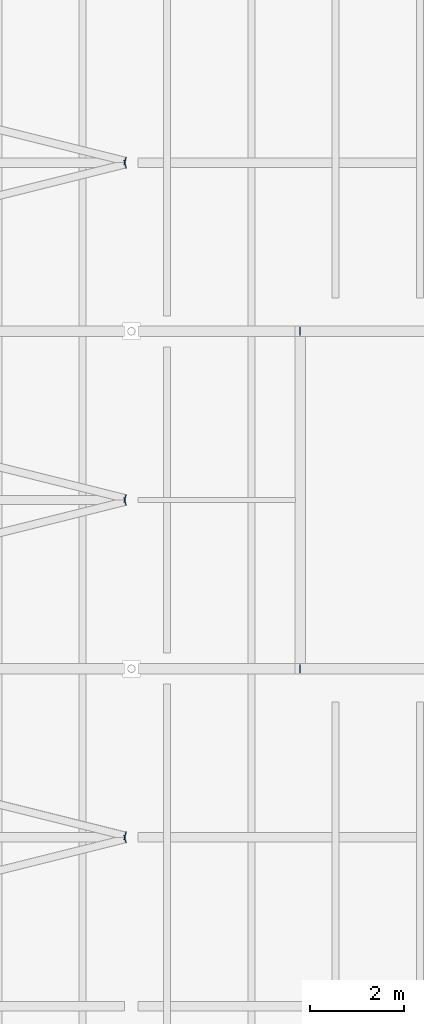
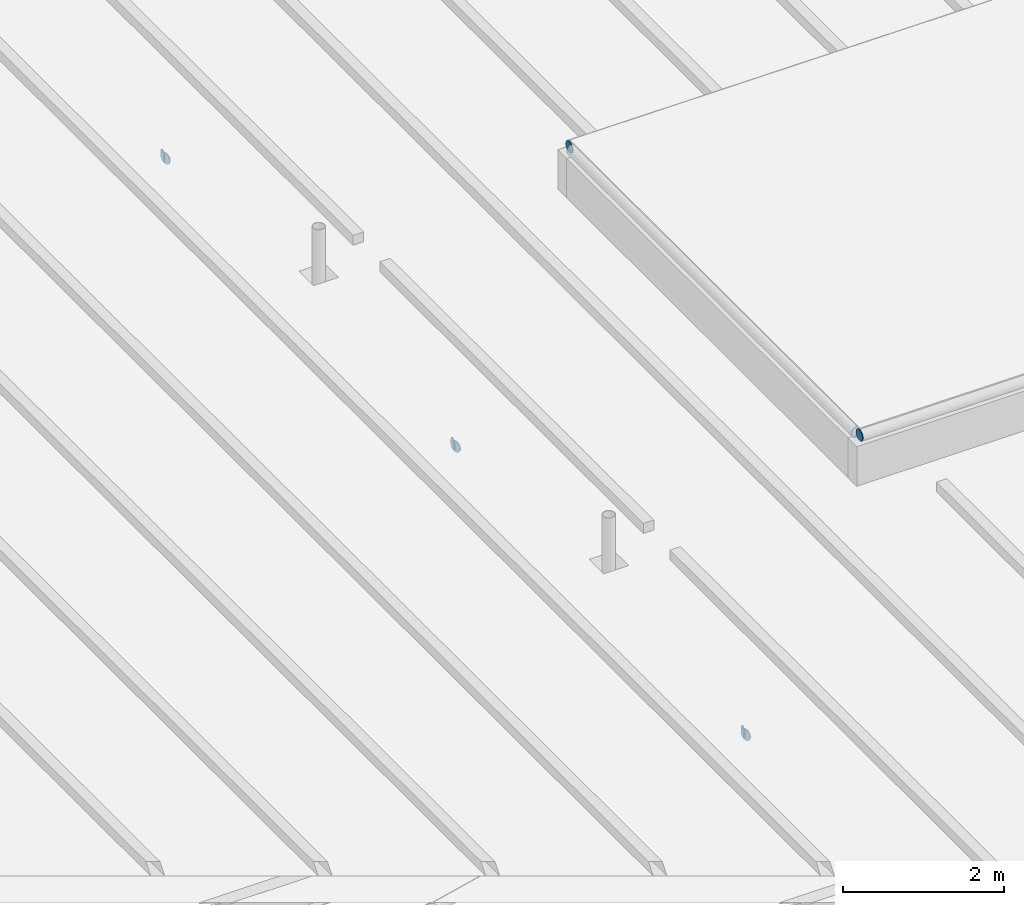
# One storey, part 78 of 120: 8 discrete accessories.
"""IFC4 building model written with IfcOpenShell, lengths in metres."""

from ifc_helpers import new_model, si_unit, direction, frame, origin, origin_2d, place, context, subcontext, project, spatial, circle, extrude, material, layer, layer_set, type_object, element, save


model = new_model("IFC4")

# Units and contexts
model_context = context("Model", 3, precision=1e-05, world=origin(), true_north=direction((0.0, 1.0)))
body_context = subcontext(model_context, "Body", "Model", "MODEL_VIEW")
ifc_project = project(units=[si_unit("LENGTHUNIT", "METRE"), si_unit("AREAUNIT", "SQUARE_METRE"), si_unit("VOLUMEUNIT", "CUBIC_METRE"), si_unit("PLANEANGLEUNIT", "RADIAN"), si_unit("MASSUNIT", "GRAM", prefix="KILO")], contexts=[model_context])

# Site, building, storey
site_placement = place(None, origin())
site = spatial("IfcSite", under=ifc_project, at=site_placement, CompositionType="ELEMENT")
building_placement = place(site_placement, origin())
building = spatial("IfcBuilding", under=site, at=building_placement, Name="Kupolbacken Congress Centre", CompositionType="ELEMENT")
storey_placement = place(building_placement, frame((0.0, 0.0, 21.60009765625)))
storey = spatial("IfcBuildingStorey", under=building, at=storey_placement, Name="L06", CompositionType="ELEMENT", Elevation=21.60009765625)

# Discrete accessories
ifc_material = material(Name="Steel S355", Category="steel")
ifc_layer = layer(ifc_material, 0.011962890625)
ifc_layer_set = layer_set([ifc_layer], Name="Steel S355")
discrete_accessory_type = type_object("IfcDiscreteAccessoryType", Name="EC2 tube end cap plate 168 dia x 12", PredefinedType="BRACKET", material=ifc_layer_set)
for number, where, z_axis, x_axis, name in (
    (1, (107.859375, 71.96484375, -0.084228515625), (0.970142500145, 0.242535625036, 0.0), (-0.242535625036, 0.970142500145, 0.0), "End cap plate HR/RB/01-07 B"),
    (2, (107.859375, 72.03515625, -0.084228515625), (0.970142500145, -0.242535625036, 0.0), (0.242535625036, 0.970142500145, 0.0), "End cap plate HR/RB/01-08 A"),
    (3, (107.859375, 79.164794921875, -0.084228515625), (0.970142500145, 0.242535625036, 0.0), (-0.242535625036, 0.970142500145, 0.0), "End cap plate HR/RB/01-09 B"),
    (4, (107.859375, 79.235107421875, -0.084228515625), (0.974732318528, -0.223376156329, 0.0), (0.223376156329, 0.974732318528, 0.0), "End cap plate HR/RB/01-10 A"),
    (5, (107.859375, 86.36474609375, -0.084228515625), (0.970142500145, 0.242535625036, 0.0), (-0.242535625036, 0.970142500145, 0.0), "End cap plate HR/RB/01-11 B"),
    (6, (107.859375, 86.435302734375, -0.084228515625), (0.970142500145, -0.242535625036, 0.0), (0.242535625036, 0.970142500145, 0.0), "End cap plate HR/RB/01-12 A"),
):
    element("IfcDiscreteAccessory", number, at=place(storey_placement, frame(where, z_axis=z_axis, x_axis=x_axis)), inside=storey, type_object=discrete_accessory_type, Name=name, PredefinedType="BRACKET", context=body_context, shape_type="SweptSolid", body=[
        extrude(circle(Radius=0.084228515625, at=origin_2d()), origin(), (0.0, 0.0, 1.0), 0.011962890625),
    ])
for number, where, z_axis, x_axis, name in (
    (7, (111.60009765625, 82.800048828125, 0.944091796875), (-1.0, 0.0, 0.0), (0.0, -1.0, 0.0), "End cap plate RD/RL2/FN A"),
    (8, (111.60009765625, 75.60009765625, 0.944091796875), (-1.0, 0.0, 0.0), (0.0, -1.0, 0.0), "End cap plate RD/RL2/FS A"),
):
    element("IfcDiscreteAccessory", number, at=place(storey_placement, frame(where, z_axis=z_axis, x_axis=x_axis)), inside=storey, type_object=discrete_accessory_type, Name=name, PredefinedType="BRACKET", context=body_context, shape_type="SweptSolid", body=[
        extrude(circle(Radius=0.084228515625, at=origin_2d()), origin(), (0.0, 0.0, 1.0), 0.01220703125),
    ])

save(model, "model.ifc")
